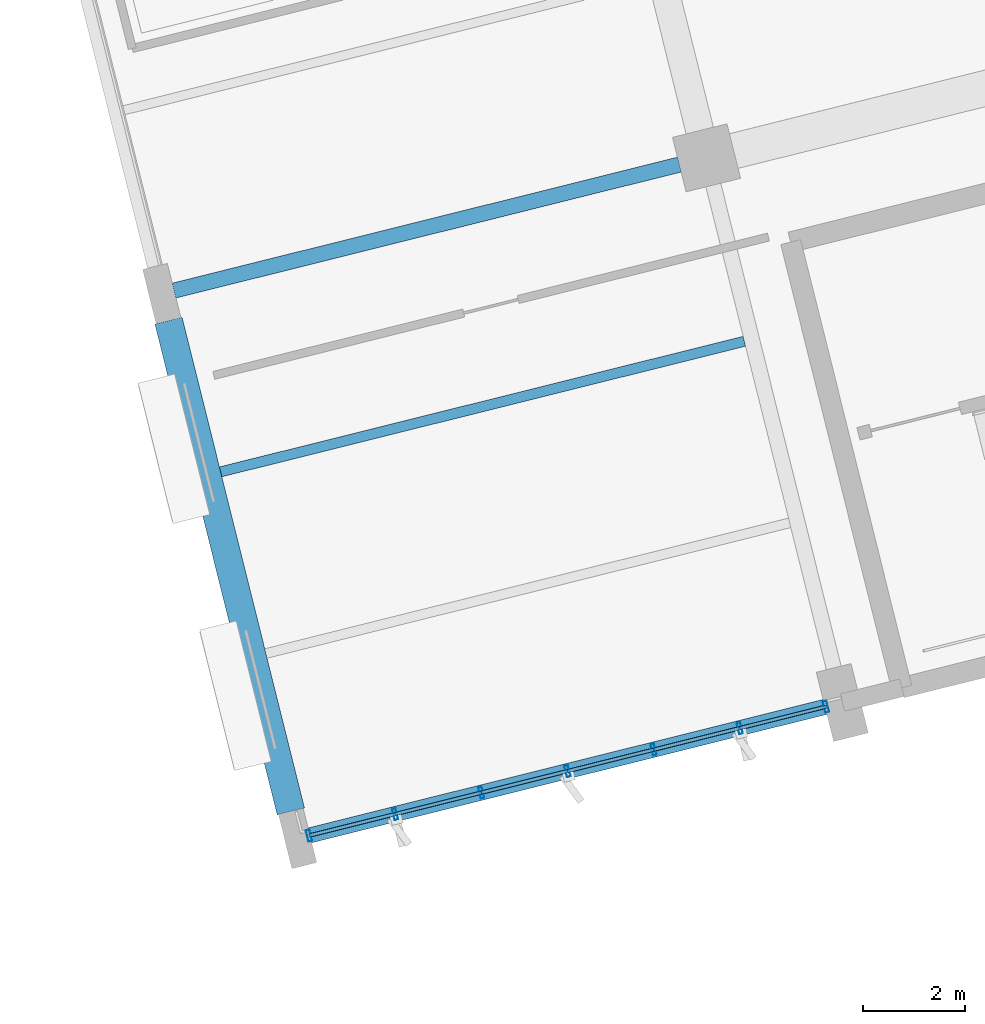
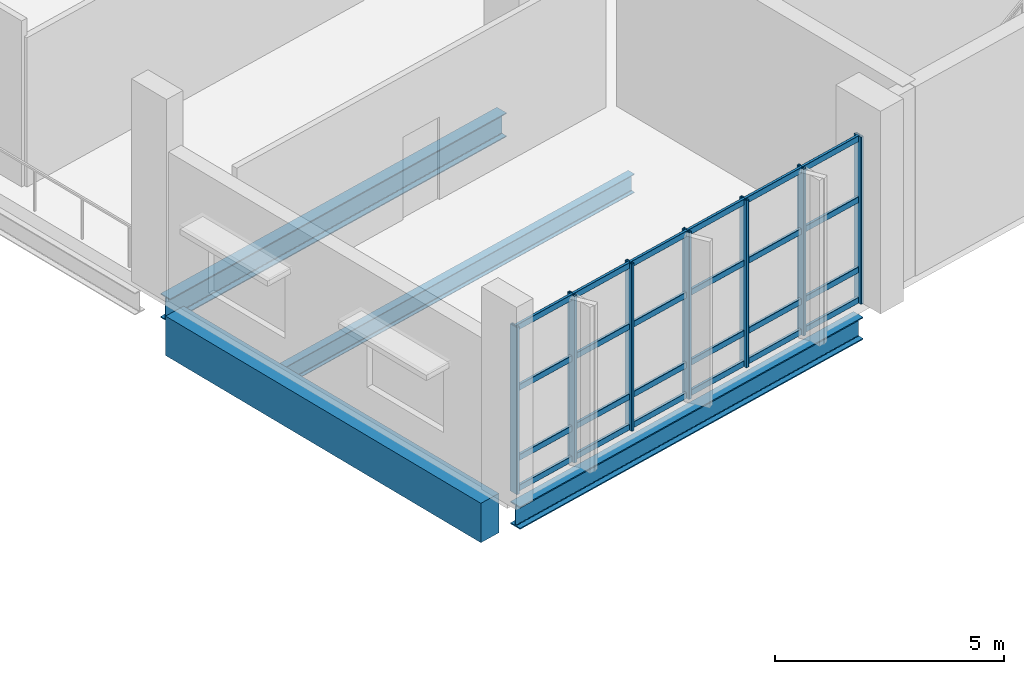
# One storey, part 66 of 176: 31 members, 4 beams, 1 element without a shape of its own.
"""IFC4 building model written with IfcOpenShell, lengths in metres."""

import ifcopenshell
import ifcopenshell.guid

model = None  # the IFC model being written
_history = None  # IfcOwnerHistory: only IFC2X3 demands one
_inside = {}  # id of a spatial element -> (the spatial element, [elements in it])
_under = {}  # id of a project, library or spatial element -> (it, [spatial elements below it])
_declared = {}  # id of a project -> (the project, [libraries it declares])
_typed = {}  # id of a type object -> (the type object, [elements of that type])
_made_of = {}  # id of a material, layer set ... -> (it, [elements and type objects made of it])


def new_model(schema):
    """Start an empty IFC model of exactly this schema.

    Asked for "IFC4X3", IfcOpenShell would pick the latest addendum, in which some entities
    have other attributes; the version numbers below select the first issue.
    IFC2X3 requires an IfcOwnerHistory on every rooted entity: one is made here for all.
    """
    global model, _history
    if schema == "IFC4X3":
        model = ifcopenshell.file(schema_version=(4, 3, 0, 0))
    else:
        model = ifcopenshell.file(schema=schema)
    _inside.clear()
    _under.clear()
    _declared.clear()
    _typed.clear()
    _made_of.clear()
    _history = None
    if model.schema == "IFC2X3":
        org = make("IfcOrganization", Name="unknown")
        user = make(
            "IfcPersonAndOrganization",
            ThePerson=make("IfcPerson", FamilyName="unknown"),
            TheOrganization=org,
        )
        app = make(
            "IfcApplication",
            ApplicationDeveloper=org,
            Version="unknown",
            ApplicationFullName="unknown",
            ApplicationIdentifier="unknown",
        )
        _history = make(
            "IfcOwnerHistory",
            OwningUser=user,
            OwningApplication=app,
            ChangeAction="ADDED",
            CreationDate=0,
        )
    return model


def make(cls, **values):
    """One entity of the class cls with the attributes given. An attribute that is None is left unset."""
    return model.create_entity(
        cls, **{name: value for name, value in values.items() if value is not None}
    )


def rooted(cls, **values):
    """An entity with a GlobalId (a new one), such as an element, a storey or a relation."""
    return make(cls, GlobalId=ifcopenshell.guid.new(), OwnerHistory=_history, **values)


def si_unit(unit_type, name, prefix=None):
    """IfcSIUnit, for example si_unit("LENGTHUNIT", "METRE", prefix="MILLI")."""
    return make("IfcSIUnit", UnitType=unit_type, Prefix=prefix, Name=name)


def assignment(units):
    """IfcUnitAssignment: the units of a project."""
    return None if units is None else make("IfcUnitAssignment", Units=units)


def point(xyz):
    """IfcCartesianPoint."""
    return None if xyz is None else make("IfcCartesianPoint", Coordinates=xyz)


def direction(xyz):
    """IfcDirection."""
    return None if xyz is None else make("IfcDirection", DirectionRatios=xyz)


def frame(location, z_axis=None, x_axis=None):
    """IfcAxis2Placement3D, a coordinate frame: its origin and axes. An axis left out is left unset."""
    return make(
        "IfcAxis2Placement3D",
        Location=point(location),
        Axis=direction(z_axis),
        RefDirection=direction(x_axis),
    )


def frame_2d(location, x_axis=None):
    """IfcAxis2Placement2D, a coordinate frame in the plane: its origin and x axis."""
    return make(
        "IfcAxis2Placement2D", Location=point(location), RefDirection=direction(x_axis)
    )


def origin():
    """The frame at (0, 0, 0) with its axes left unset."""
    return frame((0.0, 0.0, 0.0))


def origin_2d():
    """The frame at (0, 0) in the plane with its x axis left unset."""
    return frame_2d((0.0, 0.0))


def place(relative_to, where):
    """IfcLocalPlacement: puts the frame where relative to a parent placement (None: the world)."""
    return make(
        "IfcLocalPlacement", PlacementRelTo=relative_to, RelativePlacement=where
    )


def context(
    kind, dimensions, precision=None, world=None, true_north=None, identifier=None
):
    """IfcGeometricRepresentationContext, for example the 3D "Model" context."""
    return make(
        "IfcGeometricRepresentationContext",
        ContextIdentifier=identifier,
        ContextType=kind,
        CoordinateSpaceDimension=dimensions,
        Precision=precision,
        WorldCoordinateSystem=world,
        TrueNorth=true_north,
    )


def subcontext(parent, identifier, kind, view, scale=None):
    """IfcGeometricRepresentationSubContext, for example "Body" below "Model"."""
    return make(
        "IfcGeometricRepresentationSubContext",
        ContextIdentifier=identifier,
        ContextType=kind,
        ParentContext=parent,
        TargetScale=scale,
        TargetView=view,
    )


def project(units=None, contexts=None):
    """IfcProject with its units and contexts."""
    return rooted(
        "IfcProject",
        Name="project",
        RepresentationContexts=contexts,
        UnitsInContext=assignment(units),
    )


def spatial(cls, under=None, at=None, **own):
    """A site, building, storey or space (cls), placed at a placement, below another one or the project."""
    s = rooted(cls, ObjectPlacement=at, **own)
    if under is not None:
        _under.setdefault(under.id(), (under, []))[1].append(s)
    return s


def profile(cls, at=None, kind="AREA", **sizes):
    """A parametric profile (cls). Its sizes go by their IFC names, for example OverallWidth=200.0."""
    return make(cls, ProfileType=kind, Position=at, **sizes)


def rectangle(**sizes):
    """IfcRectangleProfileDef."""
    return profile("IfcRectangleProfileDef", **sizes)


def hollow_rectangle(**sizes):
    """IfcRectangleHollowProfileDef."""
    return profile("IfcRectangleHollowProfileDef", **sizes)


def i_section(**sizes):
    """IfcIShapeProfileDef."""
    return profile("IfcIShapeProfileDef", **sizes)


def extrude(swept, where, along, depth):
    """IfcExtrudedAreaSolid: the profile swept, set in the frame where, extruded along a direction by depth."""
    return make(
        "IfcExtrudedAreaSolid",
        SweptArea=swept,
        Position=where,
        ExtrudedDirection=direction(along),
        Depth=depth,
    )


def shape(context_of_items, identifier, shape_type, items):
    """IfcShapeRepresentation: the items that make up one representation, for example the "Body"."""
    return make(
        "IfcShapeRepresentation",
        ContextOfItems=context_of_items,
        RepresentationIdentifier=identifier,
        RepresentationType=shape_type,
        Items=items,
    )


def material(Name=None, Category=None):
    """IfcMaterial."""
    return make("IfcMaterial", Name=Name, Category=Category)


def layer(
    of_material, thickness, ventilated=None, Name=None, Category=None, Priority=None
):
    """IfcMaterialLayer: one layer of a wall or slab, of a material (None: an air gap)."""
    return make(
        "IfcMaterialLayer",
        Material=of_material,
        LayerThickness=thickness,
        IsVentilated=ventilated,
        Name=Name,
        Category=Category,
        Priority=Priority,
    )


def layer_set(layers, Name=None):
    """IfcMaterialLayerSet."""
    return make("IfcMaterialLayerSet", MaterialLayers=layers, LayerSetName=Name)


def material_profile(
    of_material, cross_section, Name=None, Category=None, Priority=None
):
    """IfcMaterialProfile: a cross section and its material."""
    return make(
        "IfcMaterialProfile",
        Name=Name,
        Material=of_material,
        Profile=cross_section,
        Priority=Priority,
        Category=Category,
    )


def profile_set(profiles, Name=None, composite=None):
    """IfcMaterialProfileSet."""
    return make(
        "IfcMaterialProfileSet",
        Name=Name,
        MaterialProfiles=profiles,
        CompositeProfile=composite,
    )


def made_of(thing, what):
    """Note that an element or type object is made of a material, layer set ...; save() writes the relation."""
    if what is not None:
        _made_of.setdefault(what.id(), (what, []))[1].append(thing)
    return thing


def type_object(cls, material=None, **own):
    """A type object (cls), such as IfcWallType, which elements share."""
    return made_of(rooted(cls, **own), material)


def element(
    cls,
    number,
    at=None,
    inside=None,
    cuts=None,
    type_object=None,
    material=None,
    context=None,
    identifier="Body",
    shape_type=None,
    held_by="IfcProductDefinitionShape",
    body=None,
    shapes=None,
    **own,
):
    """One element of the class cls, such as IfcWall. Its Tag is "e" and its number.

    at: its placement. inside: the storey or other place that contains it. cuts: it is an
    opening in that element (IfcRelVoidsElement). A single representation is given by context,
    identifier, shape_type and body (its items); several are given by shapes. held_by: the class
    of the entity that holds the representations. save() writes the other relations.
    """
    e = rooted(cls, Tag="e%d" % number, ObjectPlacement=at, **own)
    if body is not None:
        shapes = [shape(context, identifier, shape_type, body)]
    if shapes is not None:
        e.Representation = make(held_by, Representations=shapes)
    if inside is not None:
        _inside.setdefault(inside.id(), (inside, []))[1].append(e)
    if cuts is not None:
        rooted(
            "IfcRelVoidsElement", RelatingBuildingElement=cuts, RelatedOpeningElement=e
        )
    if type_object is not None:
        _typed.setdefault(type_object.id(), (type_object, []))[1].append(e)
    return made_of(e, material)


def aggregate(whole, parts):
    """IfcRelAggregates: a whole, such as a stair, and the parts it consists of."""
    return rooted("IfcRelAggregates", RelatingObject=whole, RelatedObjects=parts)


def save(model, path):
    """Write the relations noted so far, then the file.

    IfcRelAggregates (storeys below a building ...), IfcRelContainedInSpatialStructure (elements
    in a storey), IfcRelDefinesByType, IfcRelAssociatesMaterial and IfcRelDeclares: one each for
    every whole, place, type object, material and project.
    """
    for whole, parts in _under.values():
        aggregate(whole, parts)
    for where, things in _inside.values():
        rooted(
            "IfcRelContainedInSpatialStructure",
            RelatedElements=things,
            RelatingStructure=where,
        )
    for kind, things in _typed.values():
        rooted("IfcRelDefinesByType", RelatedObjects=things, RelatingType=kind)
    for what, things in _made_of.values():
        rooted("IfcRelAssociatesMaterial", RelatedObjects=things, RelatingMaterial=what)
    for by, libraries in _declared.values():
        rooted("IfcRelDeclares", RelatingContext=by, RelatedDefinitions=libraries)
    model.write(path)


model = new_model("IFC4")

# Units and contexts
model_context = context("Model", 3, precision=1e-05, world=origin(), true_north=direction((0.0, 1.0)))
body_context = subcontext(model_context, "Body", "Model", "MODEL_VIEW")
ifc_project = project(units=[si_unit("LENGTHUNIT", "METRE"), si_unit("AREAUNIT", "SQUARE_METRE"), si_unit("VOLUMEUNIT", "CUBIC_METRE"), si_unit("PLANEANGLEUNIT", "RADIAN"), si_unit("MASSUNIT", "GRAM", prefix="KILO")], contexts=[model_context])

# Site, building, storey
site_placement = place(None, origin())
site = spatial("IfcSite", under=ifc_project, at=site_placement, CompositionType="ELEMENT")
building_placement = place(site_placement, origin())
building = spatial("IfcBuilding", under=site, at=building_placement, Name="Khorjan Park Terminus", CompositionType="ELEMENT")
storey_placement = place(building_placement, frame((0.0, 0.0, 6.0)))
storey = spatial("IfcBuildingStorey", under=building, at=storey_placement, Name="L01", CompositionType="ELEMENT", Elevation=6.0)

# Beams
ifc_material_1 = material(Name="Steel S355", Category="steel")
ifc_material_profile_1 = material_profile(ifc_material_1, i_section(OverallWidth=0.3, OverallDepth=0.64, WebThickness=0.0135, FlangeThickness=0.026, FilletRadius=0.027, at=origin_2d()), Name="HEA 650")
ifc_profile_set_1 = profile_set([ifc_material_profile_1], Name="Steel S355")
beam_type_1 = type_object("IfcBeamType", Name="BM-HEA650", PredefinedType="BEAM", material=ifc_profile_set_1)
beam_1_placement = place(storey_placement, frame((163.5766, 12.7325, -0.68), z_axis=(0.970296133805, 0.241920261086, 0.0), x_axis=(-0.241920261086, 0.970296133805, 0.0)))
element("IfcBeam", 1, at=beam_1_placement, inside=storey, type_object=beam_type_1, Name="Primary skew-grid floor girder SB-A65 (L01)", PredefinedType="BEAM", context=body_context, shape_type="SweptSolid", body=[
    extrude(i_section(OverallWidth=0.3, OverallDepth=0.64, WebThickness=0.0135, FlangeThickness=0.026, FilletRadius=0.027, at=origin_2d()), origin(), (0.0, 0.0, 1.0), 10.21),
])
ifc_material_profile_2 = material_profile(ifc_material_1, i_section(OverallWidth=0.3, OverallDepth=0.6, WebThickness=0.0155, FlangeThickness=0.03, FilletRadius=0.027, at=origin_2d()), Name="HEB 600")
ifc_profile_set_2 = profile_set([ifc_material_profile_2], Name="Steel S355")
beam_type_2 = type_object("IfcBeamType", Name="BM-HEB600", PredefinedType="BEAM", material=ifc_profile_set_2)
beam_2_placement = place(storey_placement, frame((166.2377, 2.0593, -0.66), z_axis=(0.970296003428, 0.241920784001, 0.0), x_axis=(-0.241920784001, 0.970296003428, 0.0)))
element("IfcBeam", 2, at=beam_2_placement, inside=storey, type_object=beam_type_2, Name="Primary skew-grid floor girder SB-B60 (L01)", PredefinedType="BEAM", context=body_context, shape_type="SweptSolid", body=[
    extrude(i_section(OverallWidth=0.3, OverallDepth=0.6, WebThickness=0.0155, FlangeThickness=0.03, FilletRadius=0.027, at=origin_2d()), origin(), (0.0, 0.0, 1.0), 10.41),
])
ifc_material_2 = material(Name="Concrete C40/50", Category="concrete")
ifc_material_profile_3 = material_profile(ifc_material_2, rectangle(XDim=0.55, YDim=1.05, at=origin_2d()), Name="RC 550x1050")
ifc_profile_set_3 = profile_set([ifc_material_profile_3], Name="Concrete C40/50")
beam_type_3 = type_object("IfcBeamType", Name="BM-RC550x1050", PredefinedType="BEAM", material=ifc_profile_set_3)
beam_3_placement = place(storey_placement, frame((165.8682, 2.5288, -0.885), z_axis=(-0.24192775306, 0.970294265828, 0.0), x_axis=(-0.970294265828, -0.24192775306, 0.0)))
element("IfcBeam", 3, at=beam_3_placement, inside=storey, type_object=beam_type_3, Name="Primary skew-grid floor girder GB-105 (L01)", PredefinedType="BEAM", context=body_context, shape_type="SweptSolid", body=[
    extrude(rectangle(XDim=0.55, YDim=1.05, at=origin_2d()), origin(), (0.0, 0.0, 1.0), 9.91),
])
ifc_material_profile_4 = material_profile(ifc_material_1, i_section(OverallWidth=0.2, OverallDepth=0.5, WebThickness=0.0102, FlangeThickness=0.016, FilletRadius=0.021, at=origin_2d()), Name="IPE 500")
ifc_profile_set_4 = profile_set([ifc_material_profile_4], Name="Steel S355")
beam_type_4 = type_object("IfcBeamType", Name="JS-IPE500", PredefinedType="JOIST", material=ifc_profile_set_4)
beam_4_placement = place(storey_placement, frame((164.4927, 9.182, -0.61), z_axis=(0.970296385626, 0.241919251074, 0.0), x_axis=(-0.241919251074, 0.970296385626, 0.0)))
element("IfcBeam", 4, at=beam_4_placement, inside=storey, type_object=beam_type_4, Name="Secondary composite floor joist SJ-50 (L01)", PredefinedType="JOIST", context=body_context, shape_type="SweptSolid", body=[
    extrude(i_section(OverallWidth=0.2, OverallDepth=0.5, WebThickness=0.0102, FlangeThickness=0.016, FilletRadius=0.021, at=origin_2d()), origin(), (0.0, 0.0, 1.0), 10.575),
])

# Curtain wall, members
ifc_material_3 = material(Name="Anodized Bronze Aluminium", Category="aluminium")
ifc_layer = layer(ifc_material_3, 0.22)
ifc_layer_set = layer_set([ifc_layer], Name="Anodized Bronze Aluminium")
curtain_wall_type = type_object("IfcCurtainWallType", Name="CW-OPS-B", PredefinedType="NOTDEFINED", material=ifc_layer_set)
curtain_wall_placement = place(storey_placement, origin())
curtain_wall = element("IfcCurtainWall", 5, at=curtain_wall_placement, inside=storey, type_object=curtain_wall_type, Name="Unitized curtain wall CW-B (CW-V5-S-L01-B01)", PredefinedType="NOTDEFINED")
ifc_material_profile_5 = material_profile(ifc_material_3, hollow_rectangle(XDim=0.075, YDim=0.225, WallThickness=0.005, InnerFilletRadius=0.005, OuterFilletRadius=0.01, at=origin_2d()), Name="ALM 75x225x5")
ifc_profile_set_5 = profile_set([ifc_material_profile_5], Name="Anodized Bronze Aluminium")
member_type_1 = type_object("IfcMemberType", Name="ML-ALM-225", PredefinedType="MULLION", material=ifc_profile_set_5)
member_1_placement = place(storey_placement, frame((166.2232, 2.0556, -0.035), z_axis=(0.0, 0.0, 1.0), x_axis=(0.970295567478, 0.241922532503, 0.0)))
member_1 = element("IfcMember", 6, at=member_1_placement, type_object=member_type_1, Name="Curtain-wall mullion ML-22 (CW-V5-S-L01-B01-0)", PredefinedType="MULLION", context=body_context, shape_type="SweptSolid", body=[
    extrude(hollow_rectangle(XDim=0.075, YDim=0.225, WallThickness=0.005, InnerFilletRadius=0.005, OuterFilletRadius=0.01, at=origin_2d()), origin(), (0.0, 0.0, 1.0), 4.455),
])
member_2_placement = place(storey_placement, frame((167.9115, 2.4765, -0.035), z_axis=(0.0, 0.0, 1.0), x_axis=(0.970295567478, 0.241922532503, 0.0)))
member_2 = element("IfcMember", 7, at=member_2_placement, type_object=member_type_1, Name="Curtain-wall mullion ML-22 (CW-V5-S-L01-B01-1)", PredefinedType="MULLION", context=body_context, shape_type="SweptSolid", body=[
    extrude(hollow_rectangle(XDim=0.075, YDim=0.225, WallThickness=0.005, InnerFilletRadius=0.005, OuterFilletRadius=0.01, at=origin_2d()), origin(), (0.0, 0.0, 1.0), 4.455),
])
member_3_placement = place(storey_placement, frame((169.5997, 2.8975, -0.035), z_axis=(0.0, 0.0, 1.0), x_axis=(0.970295567478, 0.241922532503, 0.0)))
member_3 = element("IfcMember", 8, at=member_3_placement, type_object=member_type_1, Name="Curtain-wall mullion ML-22 (CW-V5-S-L01-B01-2)", PredefinedType="MULLION", context=body_context, shape_type="SweptSolid", body=[
    extrude(hollow_rectangle(XDim=0.075, YDim=0.225, WallThickness=0.005, InnerFilletRadius=0.005, OuterFilletRadius=0.01, at=origin_2d()), origin(), (0.0, 0.0, 1.0), 4.455),
])
member_4_placement = place(storey_placement, frame((171.288, 3.3184, -0.035), z_axis=(0.0, 0.0, 1.0), x_axis=(0.970295567478, 0.241922532503, 0.0)))
member_4 = element("IfcMember", 9, at=member_4_placement, type_object=member_type_1, Name="Curtain-wall mullion ML-22 (CW-V5-S-L01-B01-3)", PredefinedType="MULLION", context=body_context, shape_type="SweptSolid", body=[
    extrude(hollow_rectangle(XDim=0.075, YDim=0.225, WallThickness=0.005, InnerFilletRadius=0.005, OuterFilletRadius=0.01, at=origin_2d()), origin(), (0.0, 0.0, 1.0), 4.455),
])
member_5_placement = place(storey_placement, frame((172.9763, 3.7393, -0.035), z_axis=(0.0, 0.0, 1.0), x_axis=(0.970295567478, 0.241922532503, 0.0)))
member_5 = element("IfcMember", 10, at=member_5_placement, type_object=member_type_1, Name="Curtain-wall mullion ML-22 (CW-V5-S-L01-B01-4)", PredefinedType="MULLION", context=body_context, shape_type="SweptSolid", body=[
    extrude(hollow_rectangle(XDim=0.075, YDim=0.225, WallThickness=0.005, InnerFilletRadius=0.005, OuterFilletRadius=0.01, at=origin_2d()), origin(), (0.0, 0.0, 1.0), 4.455),
])
member_6_placement = place(storey_placement, frame((174.6645, 4.1603, -0.035), z_axis=(0.0, 0.0, 1.0), x_axis=(0.970295567478, 0.241922532503, 0.0)))
member_6 = element("IfcMember", 11, at=member_6_placement, type_object=member_type_1, Name="Curtain-wall mullion ML-22 (CW-V5-S-L01-B01-5)", PredefinedType="MULLION", context=body_context, shape_type="SweptSolid", body=[
    extrude(hollow_rectangle(XDim=0.075, YDim=0.225, WallThickness=0.005, InnerFilletRadius=0.005, OuterFilletRadius=0.01, at=origin_2d()), origin(), (0.0, 0.0, 1.0), 4.455),
])
member_7_placement = place(storey_placement, frame((176.3528, 4.5812, -0.035), z_axis=(0.0, 0.0, 1.0), x_axis=(0.970295567478, 0.241922532503, 0.0)))
member_7 = element("IfcMember", 12, at=member_7_placement, type_object=member_type_1, Name="Curtain-wall mullion ML-22 (CW-V5-S-L01-B01-6)", PredefinedType="MULLION", context=body_context, shape_type="SweptSolid", body=[
    extrude(hollow_rectangle(XDim=0.075, YDim=0.225, WallThickness=0.005, InnerFilletRadius=0.005, OuterFilletRadius=0.01, at=origin_2d()), origin(), (0.0, 0.0, 1.0), 4.455),
])
ifc_material_profile_6 = material_profile(ifc_material_3, hollow_rectangle(XDim=0.07, YDim=0.16, WallThickness=0.004, InnerFilletRadius=0.004, OuterFilletRadius=0.008, at=origin_2d()), Name="ALT 70x160x4")
ifc_profile_set_6 = profile_set([ifc_material_profile_6], Name="Anodized Bronze Aluminium")
member_type_2 = type_object("IfcMemberType", Name="TR-ALT-160", PredefinedType="USERDEFINED", material=ifc_profile_set_6)
member_8_placement = place(storey_placement, frame((166.2232, 2.0556, 0.04), z_axis=(0.97030118536, 0.241899999359, 0.0), x_axis=(-0.241899999359, 0.97030118536, 0.0)))
member_8 = element("IfcMember", 13, at=member_8_placement, type_object=member_type_2, Name="Curtain-wall transom TR-16 (CW-V5-S-L01-B01-0-1)", ObjectType="TRANSOM", PredefinedType="USERDEFINED", context=body_context, shape_type="SweptSolid", body=[
    extrude(hollow_rectangle(XDim=0.07, YDim=0.16, WallThickness=0.004, InnerFilletRadius=0.004, OuterFilletRadius=0.008, at=origin_2d()), origin(), (0.0, 0.0, 1.0), 1.74),
])
member_9_placement = place(storey_placement, frame((166.2232, 2.0556, 0.85), z_axis=(0.97030118536, 0.241899999359, 0.0), x_axis=(-0.241899999359, 0.97030118536, 0.0)))
member_9 = element("IfcMember", 14, at=member_9_placement, type_object=member_type_2, Name="Curtain-wall transom TR-16 (CW-V5-S-L01-B01-0-2)", ObjectType="TRANSOM", PredefinedType="USERDEFINED", context=body_context, shape_type="SweptSolid", body=[
    extrude(hollow_rectangle(XDim=0.07, YDim=0.16, WallThickness=0.004, InnerFilletRadius=0.004, OuterFilletRadius=0.008, at=origin_2d()), origin(), (0.0, 0.0, 1.0), 1.74),
])
member_10_placement = place(storey_placement, frame((166.2232, 2.0556, 2.7187), z_axis=(0.97030118536, 0.241899999359, 0.0), x_axis=(-0.241899999359, 0.97030118536, 0.0)))
member_10 = element("IfcMember", 15, at=member_10_placement, type_object=member_type_2, Name="Curtain-wall transom TR-16 (CW-V5-S-L01-B01-0-3)", ObjectType="TRANSOM", PredefinedType="USERDEFINED", context=body_context, shape_type="SweptSolid", body=[
    extrude(hollow_rectangle(XDim=0.07, YDim=0.16, WallThickness=0.004, InnerFilletRadius=0.004, OuterFilletRadius=0.008, at=origin_2d()), origin(), (0.0, 0.0, 1.0), 1.74),
])
member_11_placement = place(storey_placement, frame((166.2232, 2.0556, 4.345), z_axis=(0.97030118536, 0.241899999359, 0.0), x_axis=(-0.241899999359, 0.97030118536, 0.0)))
member_11 = element("IfcMember", 16, at=member_11_placement, type_object=member_type_2, Name="Curtain-wall transom TR-16 (CW-V5-S-L01-B01-0-4)", ObjectType="TRANSOM", PredefinedType="USERDEFINED", context=body_context, shape_type="SweptSolid", body=[
    extrude(hollow_rectangle(XDim=0.07, YDim=0.16, WallThickness=0.004, InnerFilletRadius=0.004, OuterFilletRadius=0.008, at=origin_2d()), origin(), (0.0, 0.0, 1.0), 1.74),
])
member_12_placement = place(storey_placement, frame((167.9115, 2.4765, 0.04), z_axis=(0.970284329676, 0.24196760028, 0.0), x_axis=(-0.24196760028, 0.970284329676, 0.0)))
member_12 = element("IfcMember", 17, at=member_12_placement, type_object=member_type_2, Name="Curtain-wall transom TR-16 (CW-V5-S-L01-B01-1-1)", ObjectType="TRANSOM", PredefinedType="USERDEFINED", context=body_context, shape_type="SweptSolid", body=[
    extrude(hollow_rectangle(XDim=0.07, YDim=0.16, WallThickness=0.004, InnerFilletRadius=0.004, OuterFilletRadius=0.008, at=origin_2d()), origin(), (0.0, 0.0, 1.0), 1.7399),
])
member_13_placement = place(storey_placement, frame((167.9115, 2.4765, 0.85), z_axis=(0.970284329676, 0.24196760028, 0.0), x_axis=(-0.24196760028, 0.970284329676, 0.0)))
member_13 = element("IfcMember", 18, at=member_13_placement, type_object=member_type_2, Name="Curtain-wall transom TR-16 (CW-V5-S-L01-B01-1-2)", ObjectType="TRANSOM", PredefinedType="USERDEFINED", context=body_context, shape_type="SweptSolid", body=[
    extrude(hollow_rectangle(XDim=0.07, YDim=0.16, WallThickness=0.004, InnerFilletRadius=0.004, OuterFilletRadius=0.008, at=origin_2d()), origin(), (0.0, 0.0, 1.0), 1.7399),
])
member_14_placement = place(storey_placement, frame((167.9115, 2.4765, 2.7187), z_axis=(0.970284329676, 0.24196760028, 0.0), x_axis=(-0.24196760028, 0.970284329676, 0.0)))
member_14 = element("IfcMember", 19, at=member_14_placement, type_object=member_type_2, Name="Curtain-wall transom TR-16 (CW-V5-S-L01-B01-1-3)", ObjectType="TRANSOM", PredefinedType="USERDEFINED", context=body_context, shape_type="SweptSolid", body=[
    extrude(hollow_rectangle(XDim=0.07, YDim=0.16, WallThickness=0.004, InnerFilletRadius=0.004, OuterFilletRadius=0.008, at=origin_2d()), origin(), (0.0, 0.0, 1.0), 1.7399),
])
member_15_placement = place(storey_placement, frame((167.9115, 2.4765, 4.345), z_axis=(0.970284329676, 0.24196760028, 0.0), x_axis=(-0.24196760028, 0.970284329676, 0.0)))
member_15 = element("IfcMember", 20, at=member_15_placement, type_object=member_type_2, Name="Curtain-wall transom TR-16 (CW-V5-S-L01-B01-1-4)", ObjectType="TRANSOM", PredefinedType="USERDEFINED", context=body_context, shape_type="SweptSolid", body=[
    extrude(hollow_rectangle(XDim=0.07, YDim=0.16, WallThickness=0.004, InnerFilletRadius=0.004, OuterFilletRadius=0.008, at=origin_2d()), origin(), (0.0, 0.0, 1.0), 1.7399),
])
member_16_placement = place(storey_placement, frame((169.5997, 2.8975, 0.04), z_axis=(0.97030118536, 0.241899999359, 0.0), x_axis=(-0.241899999359, 0.97030118536, 0.0)))
member_16 = element("IfcMember", 21, at=member_16_placement, type_object=member_type_2, Name="Curtain-wall transom TR-16 (CW-V5-S-L01-B01-2-1)", ObjectType="TRANSOM", PredefinedType="USERDEFINED", context=body_context, shape_type="SweptSolid", body=[
    extrude(hollow_rectangle(XDim=0.07, YDim=0.16, WallThickness=0.004, InnerFilletRadius=0.004, OuterFilletRadius=0.008, at=origin_2d()), origin(), (0.0, 0.0, 1.0), 1.74),
])
member_17_placement = place(storey_placement, frame((169.5997, 2.8975, 0.85), z_axis=(0.97030118536, 0.241899999359, 0.0), x_axis=(-0.241899999359, 0.97030118536, 0.0)))
member_17 = element("IfcMember", 22, at=member_17_placement, type_object=member_type_2, Name="Curtain-wall transom TR-16 (CW-V5-S-L01-B01-2-2)", ObjectType="TRANSOM", PredefinedType="USERDEFINED", context=body_context, shape_type="SweptSolid", body=[
    extrude(hollow_rectangle(XDim=0.07, YDim=0.16, WallThickness=0.004, InnerFilletRadius=0.004, OuterFilletRadius=0.008, at=origin_2d()), origin(), (0.0, 0.0, 1.0), 1.74),
])
member_18_placement = place(storey_placement, frame((169.5997, 2.8975, 2.7187), z_axis=(0.97030118536, 0.241899999359, 0.0), x_axis=(-0.241899999359, 0.97030118536, 0.0)))
member_18 = element("IfcMember", 23, at=member_18_placement, type_object=member_type_2, Name="Curtain-wall transom TR-16 (CW-V5-S-L01-B01-2-3)", ObjectType="TRANSOM", PredefinedType="USERDEFINED", context=body_context, shape_type="SweptSolid", body=[
    extrude(hollow_rectangle(XDim=0.07, YDim=0.16, WallThickness=0.004, InnerFilletRadius=0.004, OuterFilletRadius=0.008, at=origin_2d()), origin(), (0.0, 0.0, 1.0), 1.74),
])
member_19_placement = place(storey_placement, frame((169.5997, 2.8975, 4.345), z_axis=(0.97030118536, 0.241899999359, 0.0), x_axis=(-0.241899999359, 0.97030118536, 0.0)))
member_19 = element("IfcMember", 24, at=member_19_placement, type_object=member_type_2, Name="Curtain-wall transom TR-16 (CW-V5-S-L01-B01-2-4)", ObjectType="TRANSOM", PredefinedType="USERDEFINED", context=body_context, shape_type="SweptSolid", body=[
    extrude(hollow_rectangle(XDim=0.07, YDim=0.16, WallThickness=0.004, InnerFilletRadius=0.004, OuterFilletRadius=0.008, at=origin_2d()), origin(), (0.0, 0.0, 1.0), 1.74),
])
member_20_placement = place(storey_placement, frame((171.288, 3.3184, 0.04), z_axis=(0.97030118536, 0.241899999359, 0.0), x_axis=(-0.241899999359, 0.97030118536, 0.0)))
member_20 = element("IfcMember", 25, at=member_20_placement, type_object=member_type_2, Name="Curtain-wall transom TR-16 (CW-V5-S-L01-B01-3-1)", ObjectType="TRANSOM", PredefinedType="USERDEFINED", context=body_context, shape_type="SweptSolid", body=[
    extrude(hollow_rectangle(XDim=0.07, YDim=0.16, WallThickness=0.004, InnerFilletRadius=0.004, OuterFilletRadius=0.008, at=origin_2d()), origin(), (0.0, 0.0, 1.0), 1.74),
])
member_21_placement = place(storey_placement, frame((171.288, 3.3184, 0.85), z_axis=(0.97030118536, 0.241899999359, 0.0), x_axis=(-0.241899999359, 0.97030118536, 0.0)))
member_21 = element("IfcMember", 26, at=member_21_placement, type_object=member_type_2, Name="Curtain-wall transom TR-16 (CW-V5-S-L01-B01-3-2)", ObjectType="TRANSOM", PredefinedType="USERDEFINED", context=body_context, shape_type="SweptSolid", body=[
    extrude(hollow_rectangle(XDim=0.07, YDim=0.16, WallThickness=0.004, InnerFilletRadius=0.004, OuterFilletRadius=0.008, at=origin_2d()), origin(), (0.0, 0.0, 1.0), 1.74),
])
member_22_placement = place(storey_placement, frame((171.288, 3.3184, 2.7187), z_axis=(0.97030118536, 0.241899999359, 0.0), x_axis=(-0.241899999359, 0.97030118536, 0.0)))
member_22 = element("IfcMember", 27, at=member_22_placement, type_object=member_type_2, Name="Curtain-wall transom TR-16 (CW-V5-S-L01-B01-3-3)", ObjectType="TRANSOM", PredefinedType="USERDEFINED", context=body_context, shape_type="SweptSolid", body=[
    extrude(hollow_rectangle(XDim=0.07, YDim=0.16, WallThickness=0.004, InnerFilletRadius=0.004, OuterFilletRadius=0.008, at=origin_2d()), origin(), (0.0, 0.0, 1.0), 1.74),
])
member_23_placement = place(storey_placement, frame((171.288, 3.3184, 4.345), z_axis=(0.97030118536, 0.241899999359, 0.0), x_axis=(-0.241899999359, 0.97030118536, 0.0)))
member_23 = element("IfcMember", 28, at=member_23_placement, type_object=member_type_2, Name="Curtain-wall transom TR-16 (CW-V5-S-L01-B01-3-4)", ObjectType="TRANSOM", PredefinedType="USERDEFINED", context=body_context, shape_type="SweptSolid", body=[
    extrude(hollow_rectangle(XDim=0.07, YDim=0.16, WallThickness=0.004, InnerFilletRadius=0.004, OuterFilletRadius=0.008, at=origin_2d()), origin(), (0.0, 0.0, 1.0), 1.74),
])
member_24_placement = place(storey_placement, frame((172.9763, 3.7393, 0.04), z_axis=(0.970284329676, 0.24196760028, 0.0), x_axis=(-0.24196760028, 0.970284329676, 0.0)))
member_24 = element("IfcMember", 29, at=member_24_placement, type_object=member_type_2, Name="Curtain-wall transom TR-16 (CW-V5-S-L01-B01-4-1)", ObjectType="TRANSOM", PredefinedType="USERDEFINED", context=body_context, shape_type="SweptSolid", body=[
    extrude(hollow_rectangle(XDim=0.07, YDim=0.16, WallThickness=0.004, InnerFilletRadius=0.004, OuterFilletRadius=0.008, at=origin_2d()), origin(), (0.0, 0.0, 1.0), 1.7399),
])
member_25_placement = place(storey_placement, frame((172.9763, 3.7393, 0.85), z_axis=(0.970284329676, 0.24196760028, 0.0), x_axis=(-0.24196760028, 0.970284329676, 0.0)))
member_25 = element("IfcMember", 30, at=member_25_placement, type_object=member_type_2, Name="Curtain-wall transom TR-16 (CW-V5-S-L01-B01-4-2)", ObjectType="TRANSOM", PredefinedType="USERDEFINED", context=body_context, shape_type="SweptSolid", body=[
    extrude(hollow_rectangle(XDim=0.07, YDim=0.16, WallThickness=0.004, InnerFilletRadius=0.004, OuterFilletRadius=0.008, at=origin_2d()), origin(), (0.0, 0.0, 1.0), 1.7399),
])
member_26_placement = place(storey_placement, frame((172.9763, 3.7393, 2.7187), z_axis=(0.970284329676, 0.24196760028, 0.0), x_axis=(-0.24196760028, 0.970284329676, 0.0)))
member_26 = element("IfcMember", 31, at=member_26_placement, type_object=member_type_2, Name="Curtain-wall transom TR-16 (CW-V5-S-L01-B01-4-3)", ObjectType="TRANSOM", PredefinedType="USERDEFINED", context=body_context, shape_type="SweptSolid", body=[
    extrude(hollow_rectangle(XDim=0.07, YDim=0.16, WallThickness=0.004, InnerFilletRadius=0.004, OuterFilletRadius=0.008, at=origin_2d()), origin(), (0.0, 0.0, 1.0), 1.7399),
])
member_27_placement = place(storey_placement, frame((172.9763, 3.7393, 4.345), z_axis=(0.970284329676, 0.24196760028, 0.0), x_axis=(-0.24196760028, 0.970284329676, 0.0)))
member_27 = element("IfcMember", 32, at=member_27_placement, type_object=member_type_2, Name="Curtain-wall transom TR-16 (CW-V5-S-L01-B01-4-4)", ObjectType="TRANSOM", PredefinedType="USERDEFINED", context=body_context, shape_type="SweptSolid", body=[
    extrude(hollow_rectangle(XDim=0.07, YDim=0.16, WallThickness=0.004, InnerFilletRadius=0.004, OuterFilletRadius=0.008, at=origin_2d()), origin(), (0.0, 0.0, 1.0), 1.7399),
])
member_28_placement = place(storey_placement, frame((174.6645, 4.1603, 0.04), z_axis=(0.97030118536, 0.241899999359, 0.0), x_axis=(-0.241899999359, 0.97030118536, 0.0)))
member_28 = element("IfcMember", 33, at=member_28_placement, type_object=member_type_2, Name="Curtain-wall transom TR-16 (CW-V5-S-L01-B01-5-1)", ObjectType="TRANSOM", PredefinedType="USERDEFINED", context=body_context, shape_type="SweptSolid", body=[
    extrude(hollow_rectangle(XDim=0.07, YDim=0.16, WallThickness=0.004, InnerFilletRadius=0.004, OuterFilletRadius=0.008, at=origin_2d()), origin(), (0.0, 0.0, 1.0), 1.74),
])
member_29_placement = place(storey_placement, frame((174.6645, 4.1603, 0.85), z_axis=(0.97030118536, 0.241899999359, 0.0), x_axis=(-0.241899999359, 0.97030118536, 0.0)))
member_29 = element("IfcMember", 34, at=member_29_placement, type_object=member_type_2, Name="Curtain-wall transom TR-16 (CW-V5-S-L01-B01-5-2)", ObjectType="TRANSOM", PredefinedType="USERDEFINED", context=body_context, shape_type="SweptSolid", body=[
    extrude(hollow_rectangle(XDim=0.07, YDim=0.16, WallThickness=0.004, InnerFilletRadius=0.004, OuterFilletRadius=0.008, at=origin_2d()), origin(), (0.0, 0.0, 1.0), 1.74),
])
member_30_placement = place(storey_placement, frame((174.6645, 4.1603, 2.7187), z_axis=(0.97030118536, 0.241899999359, 0.0), x_axis=(-0.241899999359, 0.97030118536, 0.0)))
member_30 = element("IfcMember", 35, at=member_30_placement, type_object=member_type_2, Name="Curtain-wall transom TR-16 (CW-V5-S-L01-B01-5-3)", ObjectType="TRANSOM", PredefinedType="USERDEFINED", context=body_context, shape_type="SweptSolid", body=[
    extrude(hollow_rectangle(XDim=0.07, YDim=0.16, WallThickness=0.004, InnerFilletRadius=0.004, OuterFilletRadius=0.008, at=origin_2d()), origin(), (0.0, 0.0, 1.0), 1.74),
])
member_31_placement = place(storey_placement, frame((174.6645, 4.1603, 4.345), z_axis=(0.97030118536, 0.241899999359, 0.0), x_axis=(-0.241899999359, 0.97030118536, 0.0)))
member_31 = element("IfcMember", 36, at=member_31_placement, type_object=member_type_2, Name="Curtain-wall transom TR-16 (CW-V5-S-L01-B01-5-4)", ObjectType="TRANSOM", PredefinedType="USERDEFINED", context=body_context, shape_type="SweptSolid", body=[
    extrude(hollow_rectangle(XDim=0.07, YDim=0.16, WallThickness=0.004, InnerFilletRadius=0.004, OuterFilletRadius=0.008, at=origin_2d()), origin(), (0.0, 0.0, 1.0), 1.74),
])
aggregate(curtain_wall, [member_1, member_2, member_3, member_4, member_5, member_6, member_7, member_8, member_9, member_10, member_11, member_12, member_13, member_14, member_15, member_16, member_17, member_18, member_19, member_20, member_21, member_22, member_23, member_24, member_25, member_26, member_27, member_28, member_29, member_30, member_31])

save(model, "model.ifc")
